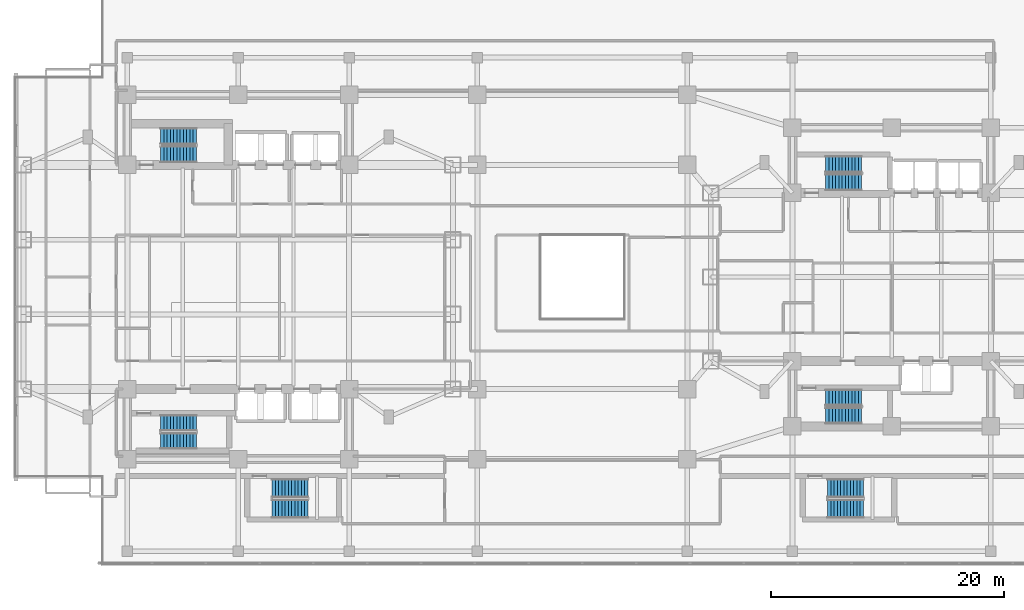
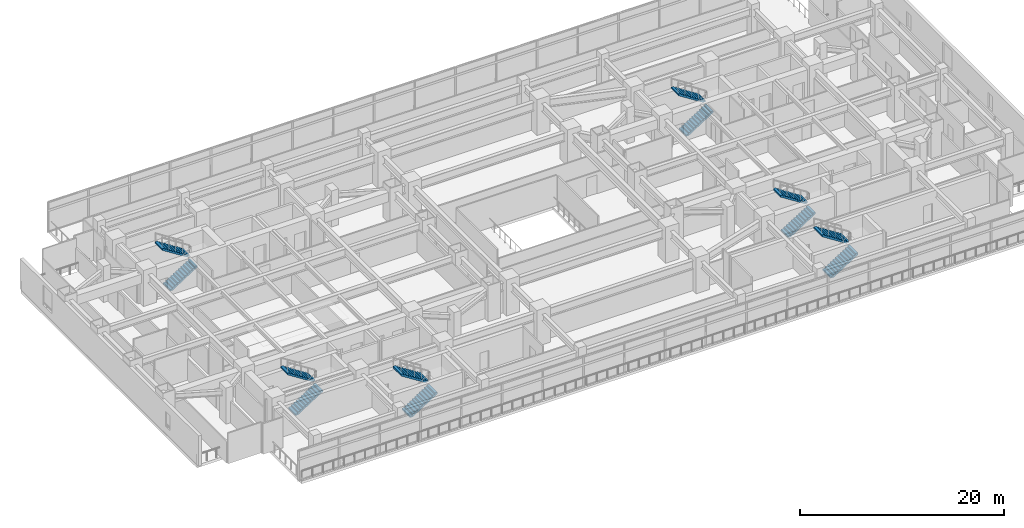
# One storey, part 19 of 26: 12 stair flights, 6 elements without a shape of their own.
"""IFC4 building model written with IfcOpenShell, lengths in metres."""

from ifc_helpers import new_model, si_unit, direction, frame, origin, place, context, subcontext, project, spatial, polyline, outline, extrude, material, type_object, element, aggregate, save


model = new_model("IFC4")

# Units and contexts
model_context = context("Model", 3, precision=1e-05, world=origin(), true_north=direction((0.0, 1.0)))
body_context = subcontext(model_context, "Body", "Model", "MODEL_VIEW")
ifc_project = project(units=[si_unit("LENGTHUNIT", "METRE"), si_unit("AREAUNIT", "SQUARE_METRE"), si_unit("VOLUMEUNIT", "CUBIC_METRE"), si_unit("PLANEANGLEUNIT", "RADIAN"), si_unit("MASSUNIT", "GRAM", prefix="KILO")], contexts=[model_context])

# Site, building, storey
site_placement = place(None, origin())
site = spatial("IfcSite", under=ifc_project, at=site_placement, CompositionType="ELEMENT")
building_placement = place(site_placement, origin())
building = spatial("IfcBuilding", under=site, at=building_placement, Name="Mirazonda Arch Towers", CompositionType="ELEMENT")
storey_placement = place(building_placement, frame((0.0, 0.0, 13.800048828125)))
storey = spatial("IfcBuildingStorey", under=building, at=storey_placement, Name="L03", CompositionType="ELEMENT", Elevation=13.800048828125)

# Stair, stair flights
ifc_material = material(Name="Concrete C40/50", Category="concrete")
stair_type_1 = type_object("IfcStairType", Name="STAIR-CORE-1400", PredefinedType="HALF_TURN_STAIR", material=ifc_material)
stair_1_placement = place(storey_placement, origin())
stair_1 = element("IfcStair", 1, at=stair_1_placement, inside=storey, type_object=stair_type_1, Name="L03 Protected Exit Stair ST-T1N", PredefinedType="HALF_TURN_STAIR")
stair_flight_type_1 = type_object("IfcStairFlightType", Name="FLIGHT-1400", PredefinedType="STRAIGHT", material=ifc_material)
stair_flight_1_placement = place(storey_placement, frame((13.85009765625, 38.52001953125, 0.0), z_axis=(0.0, 0.0, 1.0), x_axis=(1.0, 0.0, 0.0)))
stair_flight_1 = element("IfcStairFlight", 2, at=stair_flight_1_placement, type_object=stair_flight_type_1, Name="ST-T1N flight 1", NumberOfRisers=12, NumberOfTreads=11, PredefinedType="STRAIGHT", RiserHeight=0.179166667, TreadLength=0.28, context=body_context, shape_type="SweptSolid", body=[
    extrude(outline(polyline([(0.0, 0.0), (0.0, 0.17919921875), (0.280029296875, 0.17919921875), (0.280029296875, 0.3583984375), (0.56005859375, 0.3583984375), (0.56005859375, 0.53759765625), (0.840087890625, 0.53759765625), (0.840087890625, 0.716552734375), (1.1201171875, 0.716552734375), (1.1201171875, 0.895751953125), (1.39990234375, 0.895751953125), (1.39990234375, 1.074951171875), (1.679931640625, 1.074951171875), (1.679931640625, 1.254150390625), (1.9599609375, 1.254150390625), (1.9599609375, 1.433349609375), (2.239990234375, 1.433349609375), (2.239990234375, 1.612548828125), (2.52001953125, 1.612548828125), (2.52001953125, 1.791748046875), (2.800048828125, 1.791748046875), (2.800048828125, 1.970947265625), (3.080078125, 1.970947265625), (3.080078125, 2.14990234375), (3.080078125, 1.781005859375), (0.296630859375, 0.0), (0.0, 0.0)])), frame((0.0, 0.699951171875, 0.0), z_axis=(0.0, -1.0, 0.0), x_axis=(1.0, 0.0, 0.0)), (0.0, 0.0, 1.0), 1.39990234375),
])
stair_flight_2_placement = place(storey_placement, frame((16.929931640625, 40.06005859375, 2.14990234375), z_axis=(0.0, 0.0, 1.0), x_axis=(-1.0, 0.0, 0.0)))
stair_flight_2 = element("IfcStairFlight", 3, at=stair_flight_2_placement, type_object=stair_flight_type_1, Name="ST-T1N flight 2", NumberOfRisers=12, NumberOfTreads=11, PredefinedType="STRAIGHT", RiserHeight=0.179166667, TreadLength=0.28, context=body_context, shape_type="SweptSolid", body=[
    extrude(outline(polyline([(0.0, 0.0), (0.0, 0.17919921875), (0.280029296875, 0.17919921875), (0.280029296875, 0.3583984375), (0.56005859375, 0.3583984375), (0.56005859375, 0.53759765625), (0.840087890625, 0.53759765625), (0.840087890625, 0.716552734375), (1.1201171875, 0.716552734375), (1.1201171875, 0.895751953125), (1.39990234375, 0.895751953125), (1.39990234375, 1.074951171875), (1.679931640625, 1.074951171875), (1.679931640625, 1.254150390625), (1.9599609375, 1.254150390625), (1.9599609375, 1.433349609375), (2.239990234375, 1.433349609375), (2.239990234375, 1.612548828125), (2.52001953125, 1.612548828125), (2.52001953125, 1.791748046875), (2.800048828125, 1.791748046875), (2.800048828125, 1.970947265625), (3.080078125, 1.970947265625), (3.080078125, 2.14990234375), (3.080078125, 1.781005859375), (0.296630859375, 0.0), (0.0, 0.0)])), frame((0.0, 0.699951171875, 0.0), z_axis=(0.0, -1.0, 0.0), x_axis=(1.0, 0.0, 0.0)), (0.0, 0.0, 1.0), 1.39990234375),
])
aggregate(stair_1, [stair_flight_1, stair_flight_2])

stair_2_placement = place(storey_placement, origin())
stair_2 = element("IfcStair", 4, at=stair_2_placement, inside=storey, type_object=stair_type_1, Name="L03 Protected Exit Stair ST-T1S", PredefinedType="HALF_TURN_STAIR")
stair_flight_3_placement = place(storey_placement, frame((13.85009765625, 13.949951171875, 0.0), z_axis=(0.0, 0.0, 1.0), x_axis=(1.0, 0.0, 0.0)))
stair_flight_3 = element("IfcStairFlight", 5, at=stair_flight_3_placement, type_object=stair_flight_type_1, Name="ST-T1S flight 1", NumberOfRisers=12, NumberOfTreads=11, PredefinedType="STRAIGHT", RiserHeight=0.179166667, TreadLength=0.28, context=body_context, shape_type="SweptSolid", body=[
    extrude(outline(polyline([(0.0, 0.0), (0.0, 0.17919921875), (0.280029296875, 0.17919921875), (0.280029296875, 0.3583984375), (0.56005859375, 0.3583984375), (0.56005859375, 0.53759765625), (0.840087890625, 0.53759765625), (0.840087890625, 0.716552734375), (1.1201171875, 0.716552734375), (1.1201171875, 0.895751953125), (1.39990234375, 0.895751953125), (1.39990234375, 1.074951171875), (1.679931640625, 1.074951171875), (1.679931640625, 1.254150390625), (1.9599609375, 1.254150390625), (1.9599609375, 1.433349609375), (2.239990234375, 1.433349609375), (2.239990234375, 1.612548828125), (2.52001953125, 1.612548828125), (2.52001953125, 1.791748046875), (2.800048828125, 1.791748046875), (2.800048828125, 1.970947265625), (3.080078125, 1.970947265625), (3.080078125, 2.14990234375), (3.080078125, 1.781005859375), (0.296630859375, 0.0), (0.0, 0.0)])), frame((0.0, 0.699951171875, 0.0), z_axis=(0.0, -1.0, 0.0), x_axis=(1.0, 0.0, 0.0)), (0.0, 0.0, 1.0), 1.39990234375),
])
stair_flight_4_placement = place(storey_placement, frame((16.929931640625, 15.489990234375, 2.14990234375), z_axis=(0.0, 0.0, 1.0), x_axis=(-1.0, 0.0, 0.0)))
stair_flight_4 = element("IfcStairFlight", 6, at=stair_flight_4_placement, type_object=stair_flight_type_1, Name="ST-T1S flight 2", NumberOfRisers=12, NumberOfTreads=11, PredefinedType="STRAIGHT", RiserHeight=0.179166667, TreadLength=0.28, context=body_context, shape_type="SweptSolid", body=[
    extrude(outline(polyline([(0.0, 0.0), (0.0, 0.17919921875), (0.280029296875, 0.17919921875), (0.280029296875, 0.3583984375), (0.56005859375, 0.3583984375), (0.56005859375, 0.53759765625), (0.840087890625, 0.53759765625), (0.840087890625, 0.716552734375), (1.1201171875, 0.716552734375), (1.1201171875, 0.895751953125), (1.39990234375, 0.895751953125), (1.39990234375, 1.074951171875), (1.679931640625, 1.074951171875), (1.679931640625, 1.254150390625), (1.9599609375, 1.254150390625), (1.9599609375, 1.433349609375), (2.239990234375, 1.433349609375), (2.239990234375, 1.612548828125), (2.52001953125, 1.612548828125), (2.52001953125, 1.791748046875), (2.800048828125, 1.791748046875), (2.800048828125, 1.970947265625), (3.080078125, 1.970947265625), (3.080078125, 2.14990234375), (3.080078125, 1.781005859375), (0.296630859375, 0.0), (0.0, 0.0)])), frame((0.0, 0.699951171875, 0.0), z_axis=(0.0, -1.0, 0.0), x_axis=(1.0, 0.0, 0.0)), (0.0, 0.0, 1.0), 1.39990234375),
])
aggregate(stair_2, [stair_flight_3, stair_flight_4])

stair_3_placement = place(storey_placement, origin())
stair_3 = element("IfcStair", 7, at=stair_3_placement, inside=storey, type_object=stair_type_1, Name="L03 Protected Exit Stair ST-T2N", PredefinedType="HALF_TURN_STAIR")
stair_flight_5_placement = place(storey_placement, frame((70.85009765625, 36.1201171875, 0.0), z_axis=(0.0, 0.0, 1.0), x_axis=(1.0, 0.0, 0.0)))
stair_flight_5 = element("IfcStairFlight", 8, at=stair_flight_5_placement, type_object=stair_flight_type_1, Name="ST-T2N flight 1", NumberOfRisers=12, NumberOfTreads=11, PredefinedType="STRAIGHT", RiserHeight=0.179166667, TreadLength=0.28, context=body_context, shape_type="SweptSolid", body=[
    extrude(outline(polyline([(0.0, 0.0), (0.0, 0.17919921875), (0.280029296875, 0.17919921875), (0.280029296875, 0.3583984375), (0.56005859375, 0.3583984375), (0.56005859375, 0.53759765625), (0.840087890625, 0.53759765625), (0.840087890625, 0.716552734375), (1.1201171875, 0.716552734375), (1.1201171875, 0.895751953125), (1.39990234375, 0.895751953125), (1.39990234375, 1.074951171875), (1.679931640625, 1.074951171875), (1.679931640625, 1.254150390625), (1.9599609375, 1.254150390625), (1.9599609375, 1.433349609375), (2.239990234375, 1.433349609375), (2.239990234375, 1.612548828125), (2.52001953125, 1.612548828125), (2.52001953125, 1.791748046875), (2.800048828125, 1.791748046875), (2.800048828125, 1.970947265625), (3.080078125, 1.970947265625), (3.080078125, 2.14990234375), (3.080078125, 1.781005859375), (0.296630859375, 0.0), (0.0, 0.0)])), frame((0.0, 0.699951171875, 0.0), z_axis=(0.0, -1.0, 0.0), x_axis=(1.0, 0.0, 0.0)), (0.0, 0.0, 1.0), 1.39990234375),
])
stair_flight_6_placement = place(storey_placement, frame((73.929931640625, 37.659912109375, 2.14990234375), z_axis=(0.0, 0.0, 1.0), x_axis=(-1.0, 0.0, 0.0)))
stair_flight_6 = element("IfcStairFlight", 9, at=stair_flight_6_placement, type_object=stair_flight_type_1, Name="ST-T2N flight 2", NumberOfRisers=12, NumberOfTreads=11, PredefinedType="STRAIGHT", RiserHeight=0.179166667, TreadLength=0.28, context=body_context, shape_type="SweptSolid", body=[
    extrude(outline(polyline([(0.0, 0.0), (0.0, 0.17919921875), (0.280029296875, 0.17919921875), (0.280029296875, 0.3583984375), (0.56005859375, 0.3583984375), (0.56005859375, 0.53759765625), (0.840087890625, 0.53759765625), (0.840087890625, 0.716552734375), (1.1201171875, 0.716552734375), (1.1201171875, 0.895751953125), (1.39990234375, 0.895751953125), (1.39990234375, 1.074951171875), (1.679931640625, 1.074951171875), (1.679931640625, 1.254150390625), (1.9599609375, 1.254150390625), (1.9599609375, 1.433349609375), (2.239990234375, 1.433349609375), (2.239990234375, 1.612548828125), (2.52001953125, 1.612548828125), (2.52001953125, 1.791748046875), (2.800048828125, 1.791748046875), (2.800048828125, 1.970947265625), (3.080078125, 1.970947265625), (3.080078125, 2.14990234375), (3.080078125, 1.781005859375), (0.296630859375, 0.0), (0.0, 0.0)])), frame((0.0, 0.699951171875, 0.0), z_axis=(0.0, -1.0, 0.0), x_axis=(1.0, 0.0, 0.0)), (0.0, 0.0, 1.0), 1.39990234375),
])
aggregate(stair_3, [stair_flight_5, stair_flight_6])

stair_4_placement = place(storey_placement, origin())
stair_4 = element("IfcStair", 10, at=stair_4_placement, inside=storey, type_object=stair_type_1, Name="L03 Protected Exit Stair ST-T2S", PredefinedType="HALF_TURN_STAIR")
stair_flight_7_placement = place(storey_placement, frame((70.85009765625, 16.1201171875, 0.0), z_axis=(0.0, 0.0, 1.0), x_axis=(1.0, 0.0, 0.0)))
stair_flight_7 = element("IfcStairFlight", 11, at=stair_flight_7_placement, type_object=stair_flight_type_1, Name="ST-T2S flight 1", NumberOfRisers=12, NumberOfTreads=11, PredefinedType="STRAIGHT", RiserHeight=0.179166667, TreadLength=0.28, context=body_context, shape_type="SweptSolid", body=[
    extrude(outline(polyline([(0.0, 0.0), (0.0, 0.17919921875), (0.280029296875, 0.17919921875), (0.280029296875, 0.3583984375), (0.56005859375, 0.3583984375), (0.56005859375, 0.53759765625), (0.840087890625, 0.53759765625), (0.840087890625, 0.716552734375), (1.1201171875, 0.716552734375), (1.1201171875, 0.895751953125), (1.39990234375, 0.895751953125), (1.39990234375, 1.074951171875), (1.679931640625, 1.074951171875), (1.679931640625, 1.254150390625), (1.9599609375, 1.254150390625), (1.9599609375, 1.433349609375), (2.239990234375, 1.433349609375), (2.239990234375, 1.612548828125), (2.52001953125, 1.612548828125), (2.52001953125, 1.791748046875), (2.800048828125, 1.791748046875), (2.800048828125, 1.970947265625), (3.080078125, 1.970947265625), (3.080078125, 2.14990234375), (3.080078125, 1.781005859375), (0.296630859375, 0.0), (0.0, 0.0)])), frame((0.0, 0.699951171875, 0.0), z_axis=(0.0, -1.0, 0.0), x_axis=(1.0, 0.0, 0.0)), (0.0, 0.0, 1.0), 1.39990234375),
])
stair_flight_8_placement = place(storey_placement, frame((73.929931640625, 17.659912109375, 2.14990234375), z_axis=(0.0, 0.0, 1.0), x_axis=(-1.0, 0.0, 0.0)))
stair_flight_8 = element("IfcStairFlight", 12, at=stair_flight_8_placement, type_object=stair_flight_type_1, Name="ST-T2S flight 2", NumberOfRisers=12, NumberOfTreads=11, PredefinedType="STRAIGHT", RiserHeight=0.179166667, TreadLength=0.28, context=body_context, shape_type="SweptSolid", body=[
    extrude(outline(polyline([(0.0, 0.0), (0.0, 0.17919921875), (0.280029296875, 0.17919921875), (0.280029296875, 0.3583984375), (0.56005859375, 0.3583984375), (0.56005859375, 0.53759765625), (0.840087890625, 0.53759765625), (0.840087890625, 0.716552734375), (1.1201171875, 0.716552734375), (1.1201171875, 0.895751953125), (1.39990234375, 0.895751953125), (1.39990234375, 1.074951171875), (1.679931640625, 1.074951171875), (1.679931640625, 1.254150390625), (1.9599609375, 1.254150390625), (1.9599609375, 1.433349609375), (2.239990234375, 1.433349609375), (2.239990234375, 1.612548828125), (2.52001953125, 1.612548828125), (2.52001953125, 1.791748046875), (2.800048828125, 1.791748046875), (2.800048828125, 1.970947265625), (3.080078125, 1.970947265625), (3.080078125, 2.14990234375), (3.080078125, 1.781005859375), (0.296630859375, 0.0), (0.0, 0.0)])), frame((0.0, 0.699951171875, 0.0), z_axis=(0.0, -1.0, 0.0), x_axis=(1.0, 0.0, 0.0)), (0.0, 0.0, 1.0), 1.39990234375),
])
aggregate(stair_4, [stair_flight_7, stair_flight_8])

stair_type_2 = type_object("IfcStairType", Name="STAIR-POD-1600", PredefinedType="HALF_TURN_STAIR", material=ifc_material)
stair_5_placement = place(storey_placement, origin())
stair_5 = element("IfcStair", 13, at=stair_5_placement, inside=storey, type_object=stair_type_2, Name="L03 Protected Exit Stair ST-POD1", PredefinedType="HALF_TURN_STAIR")
stair_flight_type_2 = type_object("IfcStairFlightType", Name="FLIGHT-1600", PredefinedType="STRAIGHT", material=ifc_material)
stair_flight_9_placement = place(storey_placement, frame((23.39990234375, 8.14990234375, 0.0), z_axis=(0.0, 0.0, 1.0), x_axis=(1.0, 0.0, 0.0)))
stair_flight_9 = element("IfcStairFlight", 14, at=stair_flight_9_placement, type_object=stair_flight_type_2, Name="ST-POD1 flight 1", NumberOfRisers=12, NumberOfTreads=11, PredefinedType="STRAIGHT", RiserHeight=0.179166667, TreadLength=0.28, context=body_context, shape_type="SweptSolid", body=[
    extrude(outline(polyline([(0.0, 0.0), (0.0, 0.17919921875), (0.280029296875, 0.17919921875), (0.280029296875, 0.3583984375), (0.56005859375, 0.3583984375), (0.56005859375, 0.53759765625), (0.840087890625, 0.53759765625), (0.840087890625, 0.716552734375), (1.1201171875, 0.716552734375), (1.1201171875, 0.895751953125), (1.39990234375, 0.895751953125), (1.39990234375, 1.074951171875), (1.679931640625, 1.074951171875), (1.679931640625, 1.254150390625), (1.9599609375, 1.254150390625), (1.9599609375, 1.433349609375), (2.239990234375, 1.433349609375), (2.239990234375, 1.612548828125), (2.52001953125, 1.612548828125), (2.52001953125, 1.791748046875), (2.800048828125, 1.791748046875), (2.800048828125, 1.970947265625), (3.080078125, 1.970947265625), (3.080078125, 2.14990234375), (3.080078125, 1.75732421875), (0.333740234375, 0.0), (0.0, 0.0)])), frame((0.0, 0.800048828125, 0.0), z_axis=(0.0, -1.0, 0.0), x_axis=(1.0, 0.0, 0.0)), (0.0, 0.0, 1.0), 1.60009765625),
])
stair_flight_10_placement = place(storey_placement, frame((26.47998046875, 9.889892578125, 2.14990234375), z_axis=(0.0, 0.0, 1.0), x_axis=(-1.0, 0.0, 0.0)))
stair_flight_10 = element("IfcStairFlight", 15, at=stair_flight_10_placement, type_object=stair_flight_type_2, Name="ST-POD1 flight 2", NumberOfRisers=12, NumberOfTreads=11, PredefinedType="STRAIGHT", RiserHeight=0.179166667, TreadLength=0.28, context=body_context, shape_type="SweptSolid", body=[
    extrude(outline(polyline([(0.0, 0.0), (0.0, 0.17919921875), (0.280029296875, 0.17919921875), (0.280029296875, 0.3583984375), (0.56005859375, 0.3583984375), (0.56005859375, 0.53759765625), (0.840087890625, 0.53759765625), (0.840087890625, 0.716552734375), (1.1201171875, 0.716552734375), (1.1201171875, 0.895751953125), (1.39990234375, 0.895751953125), (1.39990234375, 1.074951171875), (1.679931640625, 1.074951171875), (1.679931640625, 1.254150390625), (1.9599609375, 1.254150390625), (1.9599609375, 1.433349609375), (2.239990234375, 1.433349609375), (2.239990234375, 1.612548828125), (2.52001953125, 1.612548828125), (2.52001953125, 1.791748046875), (2.800048828125, 1.791748046875), (2.800048828125, 1.970947265625), (3.080078125, 1.970947265625), (3.080078125, 2.14990234375), (3.080078125, 1.75732421875), (0.333740234375, 0.0), (0.0, 0.0)])), frame((0.0, 0.800048828125, 0.0), z_axis=(0.0, -1.0, 0.0), x_axis=(1.0, 0.0, 0.0)), (0.0, 0.0, 1.0), 1.60009765625),
])
aggregate(stair_5, [stair_flight_9, stair_flight_10])

stair_6_placement = place(storey_placement, origin())
stair_6 = element("IfcStair", 16, at=stair_6_placement, inside=storey, type_object=stair_type_2, Name="L03 Protected Exit Stair ST-POD2", PredefinedType="HALF_TURN_STAIR")
stair_flight_11_placement = place(storey_placement, frame((71.0, 8.14990234375, 0.0), z_axis=(0.0, 0.0, 1.0), x_axis=(1.0, 0.0, 0.0)))
stair_flight_11 = element("IfcStairFlight", 17, at=stair_flight_11_placement, type_object=stair_flight_type_2, Name="ST-POD2 flight 1", NumberOfRisers=12, NumberOfTreads=11, PredefinedType="STRAIGHT", RiserHeight=0.179166667, TreadLength=0.28, context=body_context, shape_type="SweptSolid", body=[
    extrude(outline(polyline([(0.0, 0.0), (0.0, 0.17919921875), (0.280029296875, 0.17919921875), (0.280029296875, 0.3583984375), (0.56005859375, 0.3583984375), (0.56005859375, 0.53759765625), (0.840087890625, 0.53759765625), (0.840087890625, 0.716552734375), (1.1201171875, 0.716552734375), (1.1201171875, 0.895751953125), (1.39990234375, 0.895751953125), (1.39990234375, 1.074951171875), (1.679931640625, 1.074951171875), (1.679931640625, 1.254150390625), (1.9599609375, 1.254150390625), (1.9599609375, 1.433349609375), (2.239990234375, 1.433349609375), (2.239990234375, 1.612548828125), (2.52001953125, 1.612548828125), (2.52001953125, 1.791748046875), (2.800048828125, 1.791748046875), (2.800048828125, 1.970947265625), (3.080078125, 1.970947265625), (3.080078125, 2.14990234375), (3.080078125, 1.75732421875), (0.333740234375, 0.0), (0.0, 0.0)])), frame((0.0, 0.800048828125, 0.0), z_axis=(0.0, -1.0, 0.0), x_axis=(1.0, 0.0, 0.0)), (0.0, 0.0, 1.0), 1.60009765625),
])
stair_flight_12_placement = place(storey_placement, frame((74.080078125, 9.889892578125, 2.14990234375), z_axis=(0.0, 0.0, 1.0), x_axis=(-1.0, 0.0, 0.0)))
stair_flight_12 = element("IfcStairFlight", 18, at=stair_flight_12_placement, type_object=stair_flight_type_2, Name="ST-POD2 flight 2", NumberOfRisers=12, NumberOfTreads=11, PredefinedType="STRAIGHT", RiserHeight=0.179166667, TreadLength=0.28, context=body_context, shape_type="SweptSolid", body=[
    extrude(outline(polyline([(0.0, 0.0), (0.0, 0.17919921875), (0.280029296875, 0.17919921875), (0.280029296875, 0.3583984375), (0.56005859375, 0.3583984375), (0.56005859375, 0.53759765625), (0.840087890625, 0.53759765625), (0.840087890625, 0.716552734375), (1.1201171875, 0.716552734375), (1.1201171875, 0.895751953125), (1.39990234375, 0.895751953125), (1.39990234375, 1.074951171875), (1.679931640625, 1.074951171875), (1.679931640625, 1.254150390625), (1.9599609375, 1.254150390625), (1.9599609375, 1.433349609375), (2.239990234375, 1.433349609375), (2.239990234375, 1.612548828125), (2.52001953125, 1.612548828125), (2.52001953125, 1.791748046875), (2.800048828125, 1.791748046875), (2.800048828125, 1.970947265625), (3.080078125, 1.970947265625), (3.080078125, 2.14990234375), (3.080078125, 1.75732421875), (0.333740234375, 0.0), (0.0, 0.0)])), frame((0.0, 0.800048828125, 0.0), z_axis=(0.0, -1.0, 0.0), x_axis=(1.0, 0.0, 0.0)), (0.0, 0.0, 1.0), 1.60009765625),
])
aggregate(stair_6, [stair_flight_11, stair_flight_12])

save(model, "model.ifc")
